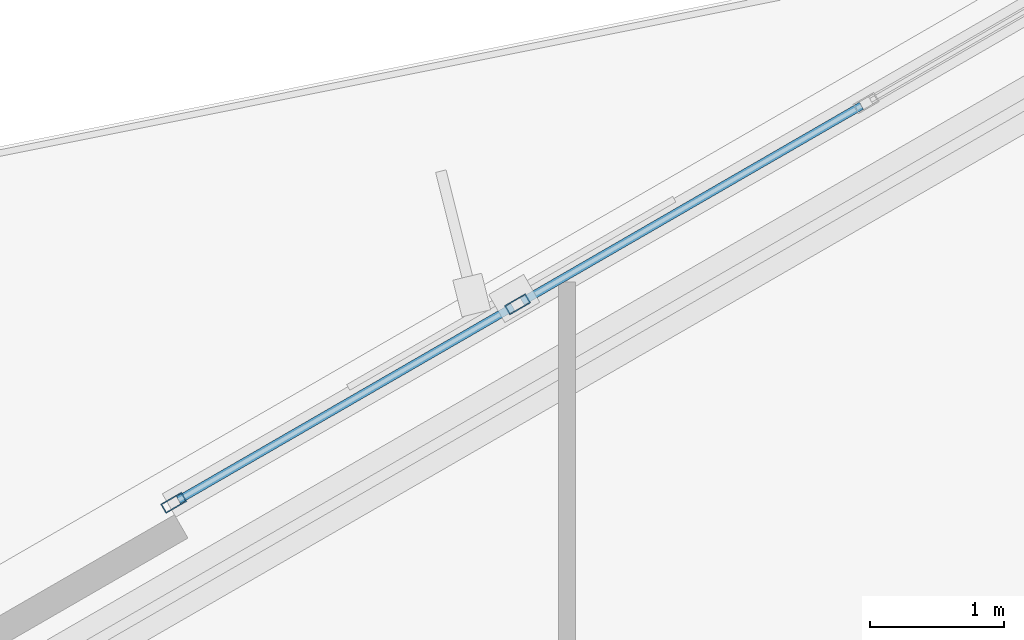
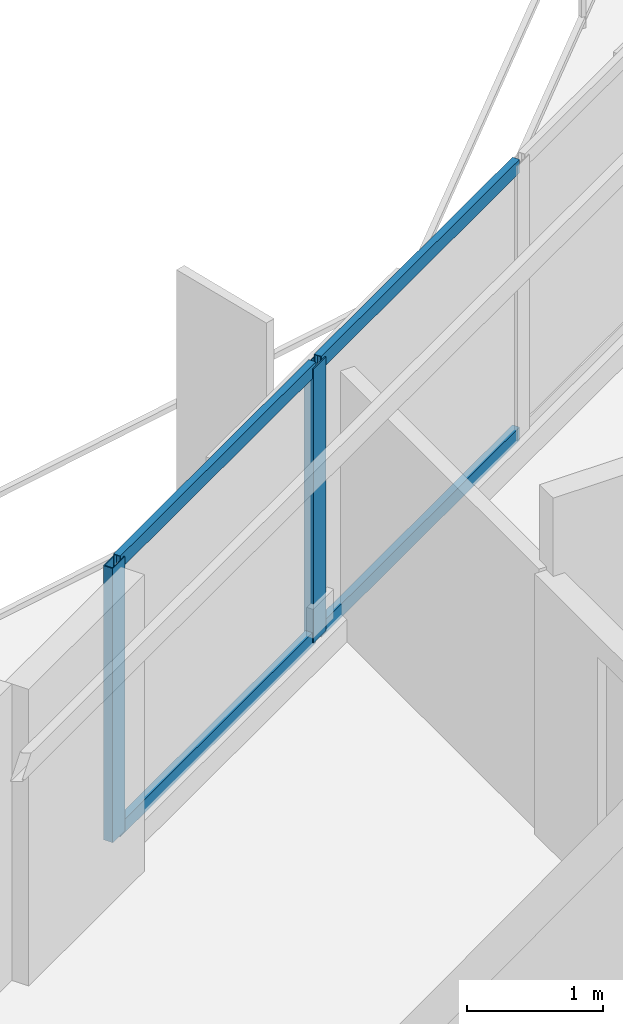
# One storey, part 7 of 16: 6 members, 1 element without a shape of its own.
"""IFC4 building model written with IfcOpenShell, lengths in metres."""

from ifc_helpers import new_model, si_unit, direction, frame, origin, origin_2d, place, context, subcontext, project, spatial, hollow_rectangle, extrude, material, layer, layer_set, material_profile, profile_set, type_object, element, aggregate, save


model = new_model("IFC4")

# Units and contexts
model_context = context("Model", 3, precision=1e-05, world=origin(), true_north=direction((0.0, 1.0)))
body_context = subcontext(model_context, "Body", "Model", "MODEL_VIEW")
ifc_project = project(units=[si_unit("LENGTHUNIT", "METRE"), si_unit("AREAUNIT", "SQUARE_METRE"), si_unit("VOLUMEUNIT", "CUBIC_METRE"), si_unit("PLANEANGLEUNIT", "RADIAN"), si_unit("MASSUNIT", "GRAM", prefix="KILO")], contexts=[model_context])

# Site, building, storey
site_placement = place(None, origin())
site = spatial("IfcSite", under=ifc_project, at=site_placement, CompositionType="ELEMENT")
building_placement = place(site_placement, origin())
building = spatial("IfcBuilding", under=site, at=building_placement, Name="Mersakhor Tower and Convention Hall", CompositionType="ELEMENT")
storey_placement = place(building_placement, frame((0.0, 0.0, 19.199951171875)))
storey = spatial("IfcBuildingStorey", under=building, at=storey_placement, Name="L04", CompositionType="ELEMENT", Elevation=19.199951171875)

# Curtain wall, members
ifc_material_1 = material(Name="Dark solar low-E aluminium curtain wall", Category="aluminium")
ifc_layer = layer(ifc_material_1, 0.18994140625)
ifc_layer_set = layer_set([ifc_layer], Name="Dark solar low-E aluminium curtain wall")
curtain_wall_type = type_object("IfcCurtainWallType", Name="CW-SYS-04", PredefinedType="USERDEFINED", material=ifc_layer_set)
curtain_wall_placement = place(storey_placement, origin())
curtain_wall = element("IfcCurtainWall", 1, at=curtain_wall_placement, inside=storey, type_object=curtain_wall_type, Name="L04 Dark-Glass Curtain Wall F1-B2", ObjectType="CURTAIN WALL", PredefinedType="USERDEFINED")
ifc_material_2 = material(Name="Anodised aluminium EN AW-6063 T6", Category="aluminium")
ifc_material_profile_1 = material_profile(ifc_material_2, hollow_rectangle(XDim=0.080078125, YDim=0.179931640625, WallThickness=0.008056640625, at=origin_2d()), Name="RHS 180x80x8")
ifc_profile_set_1 = profile_set([ifc_material_profile_1], Name="Anodised aluminium EN AW-6063 T6")
member_type_1 = type_object("IfcMemberType", Name="CWM-180x80", PredefinedType="MULLION", material=ifc_profile_set_1)
member_1_placement = place(storey_placement, frame((16.425048828125, 36.63720703125, 0.199951171875), z_axis=(0.0, 0.0, 1.0), x_axis=(-0.50000344889, 0.866023412558, 0.0)))
member_1 = element("IfcMember", 2, at=member_1_placement, type_object=member_type_1, Name="CW-04 mullion 1", PredefinedType="MULLION", context=body_context, shape_type="SweptSolid", body=[
    extrude(hollow_rectangle(XDim=0.080078125, YDim=0.179931640625, WallThickness=0.008056640625, at=origin_2d()), origin(), (0.0, 0.0, 1.0), 2.460205078125),
])
member_2_placement = place(storey_placement, frame((18.982666015625, 38.11376953125, 0.199951171875), z_axis=(0.0, 0.0, 1.0), x_axis=(-0.50000344889, 0.866023412558, 0.0)))
member_2 = element("IfcMember", 3, at=member_2_placement, type_object=member_type_1, Name="CW-04 mullion 2", PredefinedType="MULLION", context=body_context, shape_type="SweptSolid", body=[
    extrude(hollow_rectangle(XDim=0.080078125, YDim=0.179931640625, WallThickness=0.008056640625, at=origin_2d()), origin(), (0.0, 0.0, 1.0), 2.460205078125),
])
ifc_material_3 = material(Name="Anodised aluminium EN AW-6063 T6", Category="aluminium")
ifc_material_profile_2 = material_profile(ifc_material_3, hollow_rectangle(XDim=0.06005859375, YDim=0.1201171875, WallThickness=0.0048828125, at=origin_2d()), Name="RHS 120x60x5")
ifc_profile_set_2 = profile_set([ifc_material_profile_2], Name="Anodised aluminium EN AW-6063 T6")
member_type_2 = type_object("IfcMemberType", Name="CWT-120x60", PredefinedType="USERDEFINED", material=ifc_profile_set_2)
member_3_placement = place(storey_placement, frame((16.459716796875, 36.6572265625, 0.22998046875), z_axis=(0.866038426532, 0.499977443261, 0.0), x_axis=(-0.499977443261, 0.866038426532, 0.0)))
member_3 = element("IfcMember", 4, at=member_3_placement, type_object=member_type_2, Name="CW-04 transom 1.1", ObjectType="TRANSOM", PredefinedType="USERDEFINED", context=body_context, shape_type="SweptSolid", body=[
    extrude(hollow_rectangle(XDim=0.06005859375, YDim=0.1201171875, WallThickness=0.0048828125, at=origin_2d()), origin(), (0.0, 0.0, 1.0), 2.873291015625),
])
member_4_placement = place(storey_placement, frame((16.459716796875, 36.6572265625, 2.630126953125), z_axis=(0.866038426532, 0.499977443261, 0.0), x_axis=(-0.499977443261, 0.866038426532, 0.0)))
member_4 = element("IfcMember", 5, at=member_4_placement, type_object=member_type_2, Name="CW-04 transom 1.2", ObjectType="TRANSOM", PredefinedType="USERDEFINED", context=body_context, shape_type="SweptSolid", body=[
    extrude(hollow_rectangle(XDim=0.06005859375, YDim=0.1201171875, WallThickness=0.0048828125, at=origin_2d()), origin(), (0.0, 0.0, 1.0), 2.873291015625),
])
member_5_placement = place(storey_placement, frame((19.017333984375, 38.1337890625, 0.22998046875), z_axis=(0.866001369261, 0.500041626706, 0.0), x_axis=(-0.500041626706, 0.866001369261, 0.0)))
member_5 = element("IfcMember", 6, at=member_5_placement, type_object=member_type_2, Name="CW-04 transom 2.1", ObjectType="TRANSOM", PredefinedType="USERDEFINED", context=body_context, shape_type="SweptSolid", body=[
    extrude(hollow_rectangle(XDim=0.06005859375, YDim=0.1201171875, WallThickness=0.0048828125, at=origin_2d()), origin(), (0.0, 0.0, 1.0), 2.913330078125),
])
member_6_placement = place(storey_placement, frame((19.017333984375, 38.1337890625, 2.630126953125), z_axis=(0.866001369261, 0.500041626706, 0.0), x_axis=(-0.500041626706, 0.866001369261, 0.0)))
member_6 = element("IfcMember", 7, at=member_6_placement, type_object=member_type_2, Name="CW-04 transom 2.2", ObjectType="TRANSOM", PredefinedType="USERDEFINED", context=body_context, shape_type="SweptSolid", body=[
    extrude(hollow_rectangle(XDim=0.06005859375, YDim=0.1201171875, WallThickness=0.0048828125, at=origin_2d()), origin(), (0.0, 0.0, 1.0), 2.913330078125),
])
aggregate(curtain_wall, [member_1, member_2, member_3, member_4, member_5, member_6])

save(model, "model.ifc")
